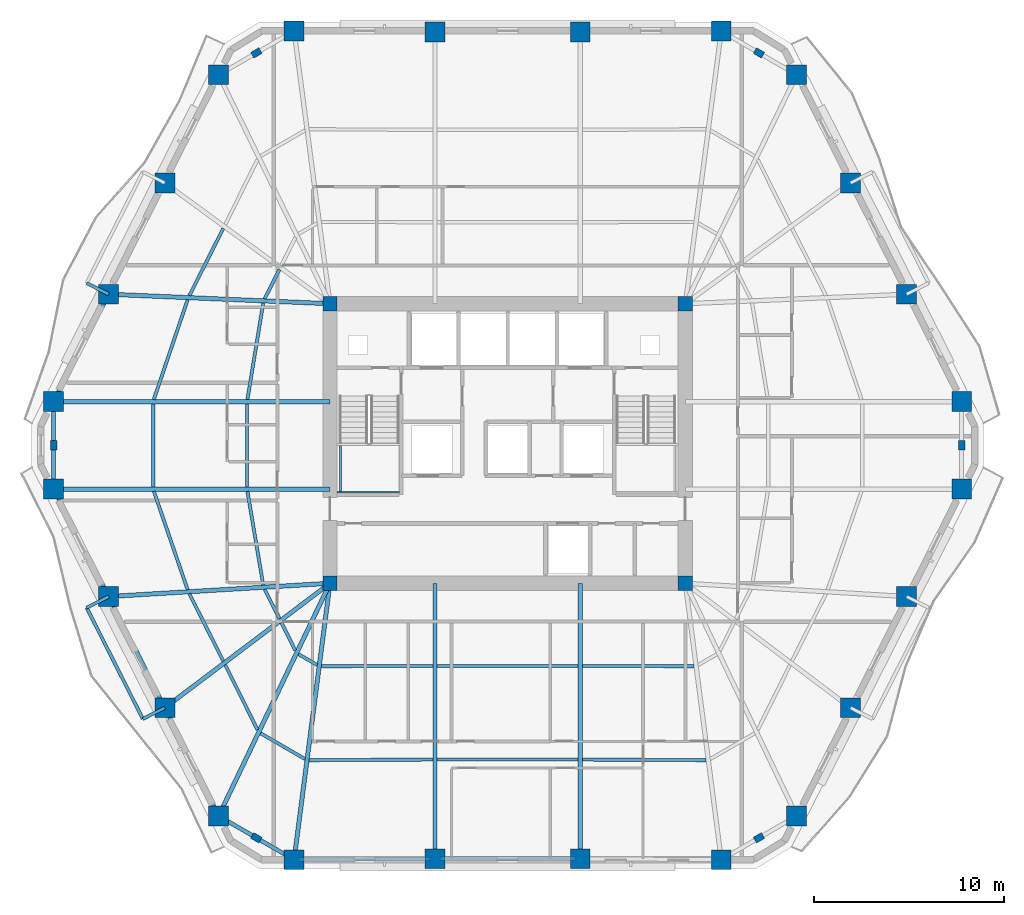
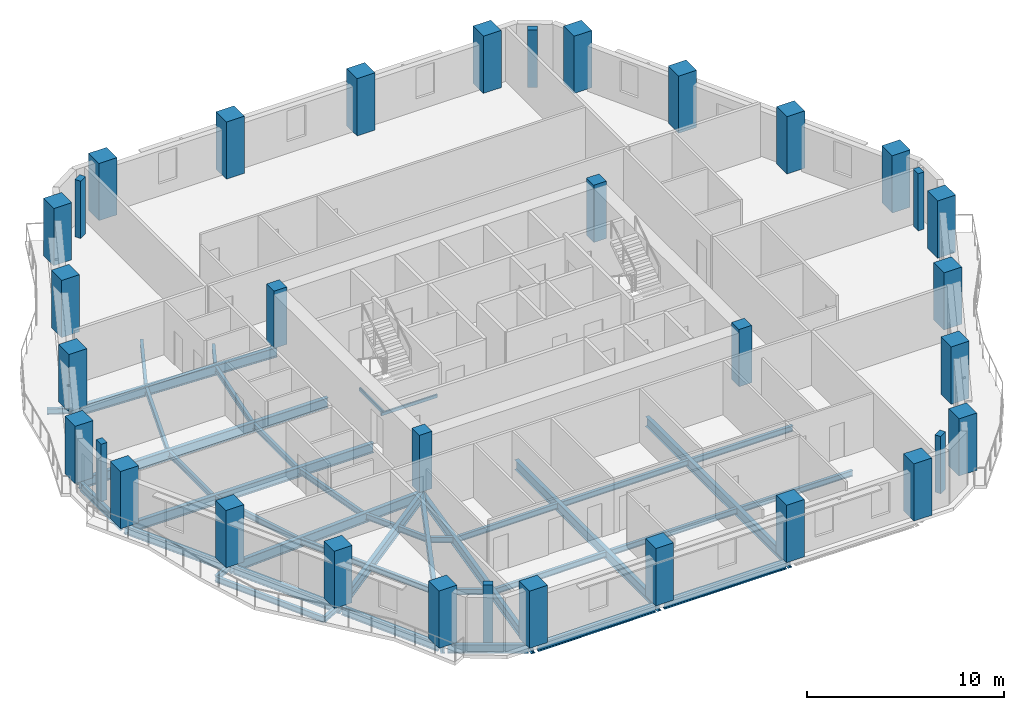
# One storey, part 1 of 12: 43 beams, 34 columns.
"""IFC4 building model written with IfcOpenShell, lengths in metres."""

from ifc_helpers import new_model, si_unit, direction, frame, origin, origin_2d, place, context, subcontext, project, spatial, rectangle, hollow_rectangle, i_section, extrude, material, material_profile, profile_set, type_object, element, save


model = new_model("IFC4")

# Units and contexts
model_context = context("Model", 3, precision=1e-05, world=origin(), true_north=direction((0.0, 1.0)))
body_context = subcontext(model_context, "Body", "Model", "MODEL_VIEW")
ifc_project = project(units=[si_unit("LENGTHUNIT", "METRE"), si_unit("AREAUNIT", "SQUARE_METRE"), si_unit("VOLUMEUNIT", "CUBIC_METRE"), si_unit("PLANEANGLEUNIT", "RADIAN"), si_unit("MASSUNIT", "GRAM", prefix="KILO")], contexts=[model_context])

# Site, building, storey
site_placement = place(None, origin())
site = spatial("IfcSite", under=ifc_project, at=site_placement, CompositionType="ELEMENT")
building_placement = place(site_placement, origin())
building = spatial("IfcBuilding", under=site, at=building_placement, Name="Cinnabar Lancet Tower", CompositionType="ELEMENT")
storey_placement = place(building_placement, frame((0.0, 0.0, 123.25)))
storey = spatial("IfcBuildingStorey", under=building, at=storey_placement, Name="L32", CompositionType="ELEMENT", Elevation=123.25)

# Columns
ifc_material_1 = material(Name="Concrete C70/85", Category="concrete")
ifc_material_profile_1 = material_profile(ifc_material_1, rectangle(XDim=0.75, YDim=0.75, at=origin_2d()), Name="RC-COL 750x750")
ifc_profile_set_1 = profile_set([ifc_material_profile_1], Name="Concrete C70/85")
column_type_1 = type_object("IfcColumnType", Name="STR-COL-CORE-750", PredefinedType="COLUMN", material=ifc_profile_set_1)
for number, where, z_axis, x_axis, name in (
    (1, (23.02490234375, 18.52490234375, 0.0), (0.0, 0.0, 1.0), (1.0, 0.0, 0.0), "L32 Core Corner Column SW"),
    (2, (41.77490234375, 18.52490234375, 0.0), (0.0, 0.0, 1.0), (1.0, 0.0, 0.0), "L32 Core Corner Column SE"),
    (3, (41.77490234375, 33.27490234375, 0.0), (0.0, 0.0, 1.0), (1.0, 0.0, 0.0), "L32 Core Corner Column NE"),
    (4, (23.02490234375, 33.27490234375, 0.0), (0.0, 0.0, 1.0), (1.0, 0.0, 0.0), "L32 Core Corner Column NW"),
):
    element("IfcColumn", number, at=place(storey_placement, frame(where, z_axis=z_axis, x_axis=x_axis)), inside=storey, type_object=column_type_1, Name=name, PredefinedType="COLUMN", context=body_context, shape_type="SweptSolid", body=[
        extrude(rectangle(XDim=0.75, YDim=0.75, at=origin_2d()), origin(), (0.0, 0.0, 1.0), 3.550048828125),
    ])
ifc_material_2 = material(Name="Concrete C60/75", Category="concrete")
ifc_material_profile_2 = material_profile(ifc_material_2, rectangle(XDim=0.5, YDim=0.35009765625, at=origin_2d()), Name="RC-PIL 500x350")
ifc_profile_set_2 = profile_set([ifc_material_profile_2], Name="Concrete C60/75")
column_type_2 = type_object("IfcColumnType", Name="STR-COL-PIL-500", PredefinedType="PILASTER", material=ifc_profile_set_2)
for number, where, z_axis, x_axis, name in (
    (5, (19.14111328125, 5.093017578125, 0.0), (0.0, 0.0, 1.0), (0.865160173452, -0.501495637342, 0.0), "L32 Chamfered Corner Pilaster 1"),
    (6, (45.658935546875, 5.093017578125, 0.0), (0.0, 0.0, 1.0), (0.865160173452, 0.501495637342, 0.0), "L32 Chamfered Corner Pilaster 2"),
    (7, (56.35693359375, 25.800048828125, 0.0), (0.0, 0.0, 1.0), (0.0, 1.0, 0.0), "L32 Chamfered Corner Pilaster 3"),
    (8, (45.658935546875, 46.508056640625, 0.0), (0.0, 0.0, 1.0), (-0.865160173452, 0.501495637342, 0.0), "L32 Chamfered Corner Pilaster 4"),
    (9, (19.14111328125, 46.508056640625, 0.0), (0.0, 0.0, 1.0), (-0.865160173452, -0.501495637342, 0.0), "L32 Chamfered Corner Pilaster 5"),
    (10, (8.443115234375, 25.800048828125, 0.0), (0.0, 0.0, 1.0), (0.0, -1.0, 0.0), "L32 Chamfered Corner Pilaster 6"),
):
    element("IfcColumn", number, at=place(storey_placement, frame(where, z_axis=z_axis, x_axis=x_axis)), inside=storey, type_object=column_type_2, Name=name, PredefinedType="PILASTER", context=body_context, shape_type="SweptSolid", body=[
        extrude(rectangle(XDim=0.5, YDim=0.35009765625, at=origin_2d()), origin(), (0.0, 0.0, 1.0), 3.550048828125),
    ])
ifc_material_3 = material(Name="Concrete C70/85", Category="concrete")
ifc_material_profile_3 = material_profile(ifc_material_3, rectangle(XDim=1.050048828125, YDim=1.050048828125, at=origin_2d()), Name="RC-COL 1050x1050")
ifc_profile_set_3 = profile_set([ifc_material_profile_3], Name="Concrete C70/85")
column_type_3 = type_object("IfcColumnType", Name="STR-COL-TUBE-1050", PredefinedType="COLUMN", material=ifc_profile_set_3)
for number, where, z_axis, x_axis, name in (
    (11, (21.131103515625, 3.93896484375, 0.0), (0.0, 0.0, 1.0), (1.0, 0.0, 0.0), "L32 Perimeter Tube Column 1"),
    (12, (28.568115234375, 3.991943359375, 0.0), (0.0, 0.0, 1.0), (1.0, 0.0, 0.0), "L32 Perimeter Tube Column 2"),
    (13, (36.23193359375, 3.991943359375, 0.0), (0.0, 0.0, 1.0), (1.0, 0.0, 0.0), "L32 Perimeter Tube Column 3"),
    (14, (43.6689453125, 3.93896484375, 0.0), (0.0, 0.0, 1.0), (1.0, 0.0, 0.0), "L32 Perimeter Tube Column 4"),
    (15, (47.64892578125, 6.24609375, 0.0), (0.0, 0.0, 1.0), (1.0, 0.0, 0.0), "L32 Perimeter Tube Column 5"),
    (16, (50.489013671875, 11.955078125, 0.0), (0.0, 0.0, 1.0), (1.0, 0.0, 0.0), "L32 Perimeter Tube Column 6"),
    (17, (53.451904296875, 17.823974609375, 0.0), (0.0, 0.0, 1.0), (1.0, 0.0, 0.0), "L32 Perimeter Tube Column 7"),
    (18, (56.35693359375, 23.490966796875, 0.0), (0.0, 0.0, 1.0), (1.0, 0.0, 0.0), "L32 Perimeter Tube Column 8"),
    (19, (56.35693359375, 28.10888671875, 0.0), (0.0, 0.0, 1.0), (1.0, 0.0, 0.0), "L32 Perimeter Tube Column 9"),
    (20, (53.451904296875, 33.77587890625, 0.0), (0.0, 0.0, 1.0), (1.0, 0.0, 0.0), "L32 Perimeter Tube Column 10"),
    (21, (50.489013671875, 39.64501953125, 0.0), (0.0, 0.0, 1.0), (1.0, 0.0, 0.0), "L32 Perimeter Tube Column 11"),
    (22, (47.64892578125, 45.35400390625, 0.0), (0.0, 0.0, 1.0), (1.0, 0.0, 0.0), "L32 Perimeter Tube Column 12"),
    (23, (43.6689453125, 47.660888671875, 0.0), (0.0, 0.0, 1.0), (1.0, 0.0, 0.0), "L32 Perimeter Tube Column 13"),
    (24, (36.23193359375, 47.60791015625, 0.0), (0.0, 0.0, 1.0), (1.0, 0.0, 0.0), "L32 Perimeter Tube Column 14"),
    (25, (28.568115234375, 47.60791015625, 0.0), (0.0, 0.0, 1.0), (1.0, 0.0, 0.0), "L32 Perimeter Tube Column 15"),
    (26, (21.131103515625, 47.660888671875, 0.0), (0.0, 0.0, 1.0), (1.0, 0.0, 0.0), "L32 Perimeter Tube Column 16"),
    (27, (17.15087890625, 45.35400390625, 0.0), (0.0, 0.0, 1.0), (1.0, 0.0, 0.0), "L32 Perimeter Tube Column 17"),
    (28, (14.31103515625, 39.64501953125, 0.0), (0.0, 0.0, 1.0), (1.0, 0.0, 0.0), "L32 Perimeter Tube Column 18"),
    (29, (11.347900390625, 33.77587890625, 0.0), (0.0, 0.0, 1.0), (1.0, 0.0, 0.0), "L32 Perimeter Tube Column 19"),
    (30, (8.443115234375, 28.10888671875, 0.0), (0.0, 0.0, 1.0), (1.0, 0.0, 0.0), "L32 Perimeter Tube Column 20"),
    (31, (8.443115234375, 23.490966796875, 0.0), (0.0, 0.0, 1.0), (1.0, 0.0, 0.0), "L32 Perimeter Tube Column 21"),
    (32, (11.347900390625, 17.823974609375, 0.0), (0.0, 0.0, 1.0), (1.0, 0.0, 0.0), "L32 Perimeter Tube Column 22"),
    (33, (14.31103515625, 11.955078125, 0.0), (0.0, 0.0, 1.0), (1.0, 0.0, 0.0), "L32 Perimeter Tube Column 23"),
    (34, (17.15087890625, 6.24609375, 0.0), (0.0, 0.0, 1.0), (1.0, 0.0, 0.0), "L32 Perimeter Tube Column 24"),
):
    element("IfcColumn", number, at=place(storey_placement, frame(where, z_axis=z_axis, x_axis=x_axis)), inside=storey, type_object=column_type_3, Name=name, PredefinedType="COLUMN", context=body_context, shape_type="SweptSolid", body=[
        extrude(rectangle(XDim=1.050048828125, YDim=1.050048828125, at=origin_2d()), origin(), (0.0, 0.0, 1.0), 3.550048828125),
    ])

# Beams
ifc_material_4 = material(Name="Structural steel S355", Category="steel")
ifc_material_profile_4 = material_profile(ifc_material_4, i_section(OverallWidth=0.17138671875, OverallDepth=0.35498046875, WebThickness=0.00732421875, FlangeThickness=0.011474609375, FilletRadius=0.01025390625, at=origin_2d()), Name="UKB 356x171x51")
ifc_profile_set_4 = profile_set([ifc_material_profile_4], Name="Structural steel S355")
beam_type_1 = type_object("IfcBeamType", Name="STR-BM-JST-356", PredefinedType="JOIST", material=ifc_profile_set_4)
beam_1_placement = place(storey_placement, frame((13.73193359375, 23.376953125, -0.386962890625), z_axis=(0.324639458548, -0.945837841257, 0.0), x_axis=(0.945837841257, 0.324639458548, 0.0)))
element("IfcBeam", 35, at=beam_1_placement, inside=storey, type_object=beam_type_1, Name="L32 Secondary Floor Joist 1", PredefinedType="JOIST", context=body_context, shape_type="SweptSolid", body=[
    extrude(i_section(OverallWidth=0.17138671875, OverallDepth=0.35498046875, WebThickness=0.00732421875, FlangeThickness=0.011474609375, FilletRadius=0.01025390625, at=origin_2d()), origin(), (0.0, 0.0, 1.0), 5.486083984375),
])
beam_2_placement = place(storey_placement, frame((18.669921875, 23.376953125, -0.386962890625), z_axis=(0.165984412241, -0.986128376477, 0.0), x_axis=(0.986128376477, 0.165984412241, 0.0)))
element("IfcBeam", 36, at=beam_2_placement, inside=storey, type_object=beam_type_1, Name="L32 Secondary Floor Joist 2", PredefinedType="JOIST", context=body_context, shape_type="SweptSolid", body=[
    extrude(i_section(OverallWidth=0.17138671875, OverallDepth=0.35498046875, WebThickness=0.00732421875, FlangeThickness=0.011474609375, FilletRadius=0.01025390625, at=origin_2d()), origin(), (0.0, 0.0, 1.0), 5.0185546875),
])
beam_3_placement = place(storey_placement, frame((15.60791015625, 17.965087890625, -0.386962890625), z_axis=(0.450755070916, -0.892647671841, 0.0), x_axis=(0.892647671841, 0.450755070916, 0.0)))
element("IfcBeam", 37, at=beam_3_placement, inside=storey, type_object=beam_type_1, Name="L32 Secondary Floor Joist 3", PredefinedType="JOIST", context=body_context, shape_type="SweptSolid", body=[
    extrude(i_section(OverallWidth=0.17138671875, OverallDepth=0.35498046875, WebThickness=0.00732421875, FlangeThickness=0.011474609375, FilletRadius=0.01025390625, at=origin_2d()), origin(), (0.0, 0.0, 1.0), 3.966796875),
])
beam_4_placement = place(storey_placement, frame((19.577880859375, 18.2041015625, -0.386962890625), z_axis=(0.450874341268, -0.892587434589, 0.0), x_axis=(0.892587434589, 0.450874341268, 0.0)))
element("IfcBeam", 38, at=beam_4_placement, inside=storey, type_object=beam_type_1, Name="L32 Secondary Floor Joist 4", PredefinedType="JOIST", context=body_context, shape_type="SweptSolid", body=[
    extrude(i_section(OverallWidth=0.17138671875, OverallDepth=0.35498046875, WebThickness=0.00732421875, FlangeThickness=0.011474609375, FilletRadius=0.01025390625, at=origin_2d()), origin(), (0.0, 0.0, 1.0), 1.732177734375),
])
beam_5_placement = place(storey_placement, frame((17.5, 14.216064453125, -0.386962890625), z_axis=(0.445295120803, -0.895383859241, 0.0), x_axis=(0.895383859241, 0.445295120803, 0.0)))
element("IfcBeam", 39, at=beam_5_placement, inside=storey, type_object=beam_type_1, Name="L32 Secondary Floor Joist 5", PredefinedType="JOIST", context=body_context, shape_type="SweptSolid", body=[
    extrude(i_section(OverallWidth=0.17138671875, OverallDepth=0.35498046875, WebThickness=0.00732421875, FlangeThickness=0.011474609375, FilletRadius=0.01025390625, at=origin_2d()), origin(), (0.0, 0.0, 1.0), 3.81982421875),
])
beam_6_placement = place(storey_placement, frame((20.4619140625, 16.449951171875, -0.386962890625), z_axis=(0.445557690111, -0.895253229418, 0.0), x_axis=(0.895253229418, 0.445557690111, 0.0)))
element("IfcBeam", 40, at=beam_6_placement, inside=storey, type_object=beam_type_1, Name="L32 Secondary Floor Joist 6", PredefinedType="JOIST", context=body_context, shape_type="SweptSolid", body=[
    extrude(i_section(OverallWidth=0.17138671875, OverallDepth=0.35498046875, WebThickness=0.00732421875, FlangeThickness=0.011474609375, FilletRadius=0.01025390625, at=origin_2d()), origin(), (0.0, 0.0, 1.0), 1.652099609375),
])
beam_7_placement = place(storey_placement, frame((19.364990234375, 10.60888671875, -0.386962890625), z_axis=(0.865172906898, -0.501473669469, 0.0), x_axis=(0.501473669469, 0.865172906898, 0.0)))
element("IfcBeam", 41, at=beam_7_placement, inside=storey, type_object=beam_type_1, Name="L32 Secondary Floor Joist 7", PredefinedType="JOIST", context=body_context, shape_type="SweptSolid", body=[
    extrude(i_section(OverallWidth=0.17138671875, OverallDepth=0.35498046875, WebThickness=0.00732421875, FlangeThickness=0.011474609375, FilletRadius=0.01025390625, at=origin_2d()), origin(), (0.0, 0.0, 1.0), 2.705810546875),
])
beam_8_placement = place(storey_placement, frame((21.362060546875, 14.783935546875, -0.386962890625), z_axis=(0.865055308165, -0.501676503154, 0.0), x_axis=(0.501676503154, 0.865055308165, 0.0)))
element("IfcBeam", 42, at=beam_8_placement, inside=storey, type_object=beam_type_1, Name="L32 Secondary Floor Joist 8", PredefinedType="JOIST", context=body_context, shape_type="SweptSolid", body=[
    extrude(i_section(OverallWidth=0.17138671875, OverallDepth=0.35498046875, WebThickness=0.00732421875, FlangeThickness=0.011474609375, FilletRadius=0.01025390625, at=origin_2d()), origin(), (0.0, 0.0, 1.0), 1.14208984375),
])
beam_9_placement = place(storey_placement, frame((21.927978515625, 9.19091796875, -0.386962890625), z_axis=(0.999987991898, 0.004900618269, 0.0), x_axis=(-0.004900618269, 0.999987991898, 0.0)))
element("IfcBeam", 43, at=beam_9_placement, inside=storey, type_object=beam_type_1, Name="L32 Secondary Floor Joist 9", PredefinedType="JOIST", context=body_context, shape_type="SweptSolid", body=[
    extrude(i_section(OverallWidth=0.17138671875, OverallDepth=0.35498046875, WebThickness=0.00732421875, FlangeThickness=0.011474609375, FilletRadius=0.01025390625, at=origin_2d()), origin(), (0.0, 0.0, 1.0), 6.526123046875),
])
beam_10_placement = place(storey_placement, frame((22.572021484375, 14.14892578125, -0.386962890625), z_axis=(0.999996247906, 0.002739374605, 0.0), x_axis=(-0.002739374605, 0.999996247906, 0.0)))
element("IfcBeam", 44, at=beam_10_placement, inside=storey, type_object=beam_type_1, Name="L32 Secondary Floor Joist 10", PredefinedType="JOIST", context=body_context, shape_type="SweptSolid", body=[
    extrude(i_section(OverallWidth=0.17138671875, OverallDepth=0.35498046875, WebThickness=0.00732421875, FlangeThickness=0.011474609375, FilletRadius=0.01025390625, at=origin_2d()), origin(), (0.0, 0.0, 1.0), 5.882080078125),
])
for number, where, z_axis, x_axis, name in (
    (45, (28.681884765625, 9.22412109375, -0.386962890625), (1.0, 0.0, 0.0), (0.0, 1.0, 0.0), "L32 Secondary Floor Joist 11"),
    (46, (28.681884765625, 14.1650390625, -0.386962890625), (1.0, 0.0, 0.0), (0.0, 1.0, 0.0), "L32 Secondary Floor Joist 12"),
):
    element("IfcBeam", number, at=place(storey_placement, frame(where, z_axis=z_axis, x_axis=x_axis)), inside=storey, type_object=beam_type_1, Name=name, PredefinedType="JOIST", context=body_context, shape_type="SweptSolid", body=[
        extrude(i_section(OverallWidth=0.17138671875, OverallDepth=0.35498046875, WebThickness=0.00732421875, FlangeThickness=0.011474609375, FilletRadius=0.01025390625, at=origin_2d()), origin(), (0.0, 0.0, 1.0), 7.43603515625),
    ])
beam_11_placement = place(storey_placement, frame((36.345947265625, 9.222900390625, -0.386962890625), z_axis=(0.999987991898, -0.004900618269, 0.0), x_axis=(0.004900618269, 0.999987991898, 0.0)))
element("IfcBeam", 47, at=beam_11_placement, inside=storey, type_object=beam_type_1, Name="L32 Secondary Floor Joist 13", PredefinedType="JOIST", context=body_context, shape_type="SweptSolid", body=[
    extrude(i_section(OverallWidth=0.17138671875, OverallDepth=0.35498046875, WebThickness=0.00732421875, FlangeThickness=0.011474609375, FilletRadius=0.01025390625, at=origin_2d()), origin(), (0.0, 0.0, 1.0), 6.526123046875),
])
beam_12_placement = place(storey_placement, frame((36.345947265625, 14.1650390625, -0.386962890625), z_axis=(0.999996247906, -0.002739374605, 0.0), x_axis=(0.002739374605, 0.999996247906, 0.0)))
element("IfcBeam", 48, at=beam_12_placement, inside=storey, type_object=beam_type_1, Name="L32 Secondary Floor Joist 14", PredefinedType="JOIST", context=body_context, shape_type="SweptSolid", body=[
    extrude(i_section(OverallWidth=0.17138671875, OverallDepth=0.35498046875, WebThickness=0.00732421875, FlangeThickness=0.011474609375, FilletRadius=0.01025390625, at=origin_2d()), origin(), (0.0, 0.0, 1.0), 5.882080078125),
])
beam_13_placement = place(storey_placement, frame((17.39599609375, 37.2490234375, -0.386962890625), z_axis=(-0.450656035687, -0.892697674187, 0.0), x_axis=(0.892697674187, -0.450656035687, 0.0)))
element("IfcBeam", 49, at=beam_13_placement, inside=storey, type_object=beam_type_1, Name="L32 Secondary Floor Joist 43", PredefinedType="JOIST", context=body_context, shape_type="SweptSolid", body=[
    extrude(i_section(OverallWidth=0.17138671875, OverallDepth=0.35498046875, WebThickness=0.00732421875, FlangeThickness=0.011474609375, FilletRadius=0.01025390625, at=origin_2d()), origin(), (0.0, 0.0, 1.0), 3.9677734375),
])
beam_14_placement = place(storey_placement, frame((20.35888671875, 35.0830078125, -0.386962890625), z_axis=(-0.450931068976, -0.892558777354, 0.0), x_axis=(0.892558777354, -0.450931068976, 0.0)))
element("IfcBeam", 50, at=beam_14_placement, inside=storey, type_object=beam_type_1, Name="L32 Secondary Floor Joist 44", PredefinedType="JOIST", context=body_context, shape_type="SweptSolid", body=[
    extrude(i_section(OverallWidth=0.17138671875, OverallDepth=0.35498046875, WebThickness=0.00732421875, FlangeThickness=0.011474609375, FilletRadius=0.01025390625, at=origin_2d()), origin(), (0.0, 0.0, 1.0), 1.73193359375),
])
beam_15_placement = place(storey_placement, frame((15.513916015625, 33.48291015625, -0.386962890625), z_axis=(-0.321023911172, -0.947071089442, 0.0), x_axis=(0.947071089442, -0.321023911172, 0.0)))
element("IfcBeam", 51, at=beam_15_placement, inside=storey, type_object=beam_type_1, Name="L32 Secondary Floor Joist 45", PredefinedType="JOIST", context=body_context, shape_type="SweptSolid", body=[
    extrude(i_section(OverallWidth=0.17138671875, OverallDepth=0.35498046875, WebThickness=0.00732421875, FlangeThickness=0.011474609375, FilletRadius=0.01025390625, at=origin_2d()), origin(), (0.0, 0.0, 1.0), 5.553955078125),
])
beam_16_placement = place(storey_placement, frame((19.5029296875, 33.31201171875, -0.386962890625), z_axis=(-0.161719098977, -0.986836832017, 0.0), x_axis=(0.986836832017, -0.161719098977, 0.0)))
element("IfcBeam", 52, at=beam_16_placement, inside=storey, type_object=beam_type_1, Name="L32 Secondary Floor Joist 46", PredefinedType="JOIST", context=body_context, shape_type="SweptSolid", body=[
    extrude(i_section(OverallWidth=0.17138671875, OverallDepth=0.35498046875, WebThickness=0.00732421875, FlangeThickness=0.011474609375, FilletRadius=0.01025390625, at=origin_2d()), origin(), (0.0, 0.0, 1.0), 5.156982421875),
])
for number, where, z_axis, x_axis, name in (
    (53, (13.693115234375, 27.9951171875, -0.386962890625), (0.0, -1.0, 0.0), (1.0, 0.0, 0.0), "L32 Secondary Floor Joist 47"),
    (54, (18.64990234375, 27.9951171875, -0.386962890625), (0.0, -1.0, 0.0), (1.0, 0.0, 0.0), "L32 Secondary Floor Joist 48"),
):
    element("IfcBeam", number, at=place(storey_placement, frame(where, z_axis=z_axis, x_axis=x_axis)), inside=storey, type_object=beam_type_1, Name=name, PredefinedType="JOIST", context=body_context, shape_type="SweptSolid", body=[
        extrude(i_section(OverallWidth=0.17138671875, OverallDepth=0.35498046875, WebThickness=0.00732421875, FlangeThickness=0.011474609375, FilletRadius=0.01025390625, at=origin_2d()), origin(), (0.0, 0.0, 1.0), 4.39013671875),
    ])
ifc_material_5 = material(Name="Structural steel S355", Category="steel")
ifc_material_profile_5 = material_profile(ifc_material_5, hollow_rectangle(XDim=0.10009765625, YDim=0.199951171875, WallThickness=0.008056640625, InnerFilletRadius=0.00390625, OuterFilletRadius=0.011962890625, at=origin_2d()), Name="RHS 200x100x8")
ifc_profile_set_5 = profile_set([ifc_material_profile_5], Name="Structural steel S355")
beam_type_2 = type_object("IfcBeamType", Name="STR-BM-LND-203", PredefinedType="BEAM", material=ifc_profile_set_5)
beam_17_placement = place(storey_placement, frame((23.39990234375, 23.330078125, 1.47509765625), z_axis=(1.0, 0.0, 0.0), x_axis=(0.0, 1.0, 0.0)))
element("IfcBeam", 55, at=beam_17_placement, inside=storey, type_object=beam_type_2, Name="L32 ST-1-L32 Landing Support Beam S", PredefinedType="BEAM", context=body_context, shape_type="SweptSolid", body=[
    extrude(hollow_rectangle(XDim=0.10009765625, YDim=0.199951171875, WallThickness=0.008056640625, InnerFilletRadius=0.00390625, OuterFilletRadius=0.011962890625, at=origin_2d()), origin(), (0.0, 0.0, 1.0), 3.280029296875),
])
beam_18_placement = place(storey_placement, frame((23.580078125, 23.3798828125, 1.47509765625), z_axis=(0.0, 1.0, 0.0), x_axis=(-1.0, 0.0, 0.0)))
element("IfcBeam", 56, at=beam_18_placement, inside=storey, type_object=beam_type_2, Name="L32 ST-1-L32 Landing Side Trimmer Beam", PredefinedType="BEAM", context=body_context, shape_type="SweptSolid", body=[
    extrude(hollow_rectangle(XDim=0.10009765625, YDim=0.199951171875, WallThickness=0.008056640625, InnerFilletRadius=0.00390625, OuterFilletRadius=0.011962890625, at=origin_2d()), origin(), (0.0, 0.0, 1.0), 2.4150390625),
])
ifc_material_6 = material(Name="Structural steel S355", Category="steel")
ifc_material_profile_6 = material_profile(ifc_material_6, i_section(OverallWidth=0.209228515625, OverallDepth=0.533203125, WebThickness=0.010009765625, FlangeThickness=0.015625, FilletRadius=0.0126953125, at=origin_2d()), Name="UKB 533x210x92")
ifc_profile_set_6 = profile_set([ifc_material_profile_6], Name="Structural steel S355")
beam_type_3 = type_object("IfcBeamType", Name="STR-BM-SPN-533", PredefinedType="SPANDREL", material=ifc_profile_set_6)
beam_19_placement = place(storey_placement, frame((21.381103515625, 3.94091796875, -0.47705078125), z_axis=(0.999974980359, 0.007073800628, 0.0), x_axis=(-0.007073800628, 0.999974980359, 0.0)))
element("IfcBeam", 57, at=beam_19_placement, inside=storey, type_object=beam_type_3, Name="L32 Perimeter Spandrel 1", PredefinedType="SPANDREL", context=body_context, shape_type="SweptSolid", body=[
    extrude(i_section(OverallWidth=0.209228515625, OverallDepth=0.533203125, WebThickness=0.010009765625, FlangeThickness=0.015625, FilletRadius=0.0126953125, at=origin_2d()), origin(), (0.0, 0.0, 1.0), 6.937255859375),
])
beam_20_placement = place(storey_placement, frame((28.818115234375, 3.991943359375, -0.47705078125), z_axis=(1.0, 0.0, 0.0), x_axis=(0.0, 1.0, 0.0)))
element("IfcBeam", 58, at=beam_20_placement, inside=storey, type_object=beam_type_3, Name="L32 Perimeter Spandrel 2", PredefinedType="SPANDREL", context=body_context, shape_type="SweptSolid", body=[
    extrude(i_section(OverallWidth=0.209228515625, OverallDepth=0.533203125, WebThickness=0.010009765625, FlangeThickness=0.015625, FilletRadius=0.0126953125, at=origin_2d()), origin(), (0.0, 0.0, 1.0), 7.163818359375),
])
beam_21_placement = place(storey_placement, frame((11.23388671875, 33.553955078125, -0.47705078125), z_axis=(-0.456126618405, -0.889914888055, 0.0), x_axis=(0.889914888055, -0.456126618405, 0.0)))
element("IfcBeam", 59, at=beam_21_placement, inside=storey, type_object=beam_type_3, Name="L32 Perimeter Spandrel 19", PredefinedType="SPANDREL", context=body_context, shape_type="SweptSolid", body=[
    extrude(i_section(OverallWidth=0.209228515625, OverallDepth=0.533203125, WebThickness=0.010009765625, FlangeThickness=0.015625, FilletRadius=0.0126953125, at=origin_2d()), origin(), (0.0, 0.0, 1.0), 5.868896484375),
])
beam_22_placement = place(storey_placement, frame((8.443115234375, 27.85888671875, -0.47705078125), z_axis=(0.0, -1.0, 0.0), x_axis=(1.0, 0.0, 0.0)))
element("IfcBeam", 60, at=beam_22_placement, inside=storey, type_object=beam_type_3, Name="L32 Perimeter Spandrel 20", PredefinedType="SPANDREL", context=body_context, shape_type="SweptSolid", body=[
    extrude(i_section(OverallWidth=0.209228515625, OverallDepth=0.533203125, WebThickness=0.010009765625, FlangeThickness=0.015625, FilletRadius=0.0126953125, at=origin_2d()), origin(), (0.0, 0.0, 1.0), 4.117919921875),
])
beam_23_placement = place(storey_placement, frame((8.556884765625, 23.26904296875, -0.47705078125), z_axis=(0.456109733574, -0.889923542187, 0.0), x_axis=(0.889923542187, 0.456109733574, 0.0)))
element("IfcBeam", 61, at=beam_23_placement, inside=storey, type_object=beam_type_3, Name="L32 Perimeter Spandrel 21", PredefinedType="SPANDREL", context=body_context, shape_type="SweptSolid", body=[
    extrude(i_section(OverallWidth=0.209228515625, OverallDepth=0.533203125, WebThickness=0.010009765625, FlangeThickness=0.015625, FilletRadius=0.0126953125, at=origin_2d()), origin(), (0.0, 0.0, 1.0), 5.869140625),
])
beam_24_placement = place(storey_placement, frame((11.4609375, 17.60107421875, -0.47705078125), z_axis=(0.450570325924, -0.892740937449, 0.0), x_axis=(0.892740937449, 0.450570325924, 0.0)))
element("IfcBeam", 62, at=beam_24_placement, inside=storey, type_object=beam_type_3, Name="L32 Perimeter Spandrel 22", PredefinedType="SPANDREL", context=body_context, shape_type="SweptSolid", body=[
    extrude(i_section(OverallWidth=0.209228515625, OverallDepth=0.533203125, WebThickness=0.010009765625, FlangeThickness=0.015625, FilletRadius=0.0126953125, at=origin_2d()), origin(), (0.0, 0.0, 1.0), 6.07470703125),
])
beam_25_placement = place(storey_placement, frame((14.422119140625, 11.73095703125, -0.47705078125), z_axis=(0.445501068635, -0.89528140707, 0.0), x_axis=(0.89528140707, 0.445501068635, 0.0)))
element("IfcBeam", 63, at=beam_25_placement, inside=storey, type_object=beam_type_3, Name="L32 Perimeter Spandrel 23", PredefinedType="SPANDREL", context=body_context, shape_type="SweptSolid", body=[
    extrude(i_section(OverallWidth=0.209228515625, OverallDepth=0.533203125, WebThickness=0.010009765625, FlangeThickness=0.015625, FilletRadius=0.0126953125, at=origin_2d()), origin(), (0.0, 0.0, 1.0), 5.87646484375),
])
beam_26_placement = place(storey_placement, frame((17.366943359375, 6.12109375, -0.47705078125), z_axis=(0.865112299906, -0.501578217781, 0.0), x_axis=(0.501578217781, 0.865112299906, 0.0)))
element("IfcBeam", 64, at=beam_26_placement, inside=storey, type_object=beam_type_3, Name="L32 Perimeter Spandrel 24", PredefinedType="SPANDREL", context=body_context, shape_type="SweptSolid", body=[
    extrude(i_section(OverallWidth=0.209228515625, OverallDepth=0.533203125, WebThickness=0.010009765625, FlangeThickness=0.015625, FilletRadius=0.0126953125, at=origin_2d()), origin(), (0.0, 0.0, 1.0), 4.101318359375),
])
ifc_material_7 = material(Name="Structural steel S355", Category="steel")
ifc_material_profile_7 = material_profile(ifc_material_7, i_section(OverallWidth=0.228271484375, OverallDepth=0.607666015625, WebThickness=0.010986328125, FlangeThickness=0.017333984375, FilletRadius=0.0126953125, at=origin_2d()), Name="UKB 610x229x113")
ifc_profile_set_7 = profile_set([ifc_material_profile_7], Name="Structural steel S355")
beam_type_4 = type_object("IfcBeamType", Name="STR-BM-UKB610-113", PredefinedType="BEAM", material=ifc_profile_set_7)
beam_27_placement = place(storey_placement, frame((14.31103515625, 11.955078125, -0.513916015625), z_axis=(0.798483350078, 0.602016893158, 0.0), x_axis=(-0.602016893158, 0.798483350078, 0.0)))
element("IfcBeam", 65, at=beam_27_placement, inside=storey, type_object=beam_type_4, Name="L32 Corner Collector Girder 1", PredefinedType="BEAM", context=body_context, shape_type="SweptSolid", body=[
    extrude(i_section(OverallWidth=0.228271484375, OverallDepth=0.607666015625, WebThickness=0.010986328125, FlangeThickness=0.017333984375, FilletRadius=0.0126953125, at=origin_2d()), origin(), (0.0, 0.0, 1.0), 10.9130859375),
])
beam_28_placement = place(storey_placement, frame((21.131103515625, 3.93896484375, -0.513916015625), z_axis=(0.128756570002, 0.991676230269, 0.0), x_axis=(-0.991676230269, 0.128756570002, 0.0)))
element("IfcBeam", 66, at=beam_28_placement, inside=storey, type_object=beam_type_4, Name="L32 Primary Floor Girder 1", PredefinedType="BEAM", context=body_context, shape_type="SweptSolid", body=[
    extrude(i_section(OverallWidth=0.228271484375, OverallDepth=0.607666015625, WebThickness=0.010986328125, FlangeThickness=0.017333984375, FilletRadius=0.0126953125, at=origin_2d()), origin(), (0.0, 0.0, 1.0), 14.708251953125),
])
for number, where, z_axis, x_axis, name in (
    (67, (28.568115234375, 3.991943359375, -0.513916015625), (0.0, 1.0, 0.0), (-1.0, 0.0, 0.0), "L32 Primary Floor Girder 2"),
    (68, (36.23193359375, 3.991943359375, -0.513916015625), (0.0, 1.0, 0.0), (-1.0, 0.0, 0.0), "L32 Primary Floor Girder 3"),
):
    element("IfcBeam", number, at=place(storey_placement, frame(where, z_axis=z_axis, x_axis=x_axis)), inside=storey, type_object=beam_type_4, Name=name, PredefinedType="BEAM", context=body_context, shape_type="SweptSolid", body=[
        extrude(i_section(OverallWidth=0.228271484375, OverallDepth=0.607666015625, WebThickness=0.010986328125, FlangeThickness=0.017333984375, FilletRadius=0.0126953125, at=origin_2d()), origin(), (0.0, 0.0, 1.0), 14.532958984375),
    ])
beam_29_placement = place(storey_placement, frame((11.347900390625, 33.77587890625, -0.513916015625), z_axis=(0.999080941658, -0.042863411158, 0.0), x_axis=(0.042863411158, 0.999080941658, 0.0)))
element("IfcBeam", 69, at=beam_29_placement, inside=storey, type_object=beam_type_4, Name="L32 Primary Floor Girder 19", PredefinedType="BEAM", context=body_context, shape_type="SweptSolid", body=[
    extrude(i_section(OverallWidth=0.228271484375, OverallDepth=0.607666015625, WebThickness=0.010986328125, FlangeThickness=0.017333984375, FilletRadius=0.0126953125, at=origin_2d()), origin(), (0.0, 0.0, 1.0), 11.687744140625),
])
for number, where, z_axis, x_axis, name in (
    (70, (8.443115234375, 28.10888671875, -0.513916015625), (1.0, 0.0, 0.0), (0.0, 1.0, 0.0), "L32 Primary Floor Girder 20"),
    (71, (8.443115234375, 23.490966796875, -0.513916015625), (1.0, 0.0, 0.0), (0.0, 1.0, 0.0), "L32 Primary Floor Girder 21"),
):
    element("IfcBeam", number, at=place(storey_placement, frame(where, z_axis=z_axis, x_axis=x_axis)), inside=storey, type_object=beam_type_4, Name=name, PredefinedType="BEAM", context=body_context, shape_type="SweptSolid", body=[
        extrude(i_section(OverallWidth=0.228271484375, OverallDepth=0.607666015625, WebThickness=0.010986328125, FlangeThickness=0.017333984375, FilletRadius=0.0126953125, at=origin_2d()), origin(), (0.0, 0.0, 1.0), 14.581787109375),
    ])
beam_30_placement = place(storey_placement, frame((11.347900390625, 17.823974609375, -0.513916015625), z_axis=(0.998203272991, 0.059918492897, 0.0), x_axis=(-0.059918492897, 0.998203272991, 0.0)))
element("IfcBeam", 72, at=beam_30_placement, inside=storey, type_object=beam_type_4, Name="L32 Primary Floor Girder 22", PredefinedType="BEAM", context=body_context, shape_type="SweptSolid", body=[
    extrude(i_section(OverallWidth=0.228271484375, OverallDepth=0.607666015625, WebThickness=0.010986328125, FlangeThickness=0.017333984375, FilletRadius=0.0126953125, at=origin_2d()), origin(), (0.0, 0.0, 1.0), 11.697998046875),
])
beam_31_placement = place(storey_placement, frame((17.15087890625, 6.24609375, -0.513916015625), z_axis=(0.431548156881, 0.902089900339, 0.0), x_axis=(-0.902089900339, 0.431548156881, 0.0)))
element("IfcBeam", 73, at=beam_31_placement, inside=storey, type_object=beam_type_4, Name="L32 Primary Floor Girder 24", PredefinedType="BEAM", context=body_context, shape_type="SweptSolid", body=[
    extrude(i_section(OverallWidth=0.228271484375, OverallDepth=0.607666015625, WebThickness=0.010986328125, FlangeThickness=0.017333984375, FilletRadius=0.0126953125, at=origin_2d()), origin(), (0.0, 0.0, 1.0), 13.611572265625),
])
ifc_material_8 = material(Name="Structural steel S355", Category="steel")
ifc_material_profile_8 = material_profile(ifc_material_8, i_section(OverallWidth=0.17138671875, OverallDepth=0.35498046875, WebThickness=0.00732421875, FlangeThickness=0.011474609375, FilletRadius=0.01025390625, at=origin_2d()), Name="UKB 356x171x51")
ifc_profile_set_8 = profile_set([ifc_material_profile_8], Name="Structural steel S355")
beam_type_5 = type_object("IfcBeamType", Name="STR-BM-WAV-OUT", PredefinedType="BEAM", material=ifc_profile_set_8)
for number, where, z_axis, x_axis, name in (
    (74, (11.347900390625, 33.77587890625, -0.39697265625), (-0.892200264127, 0.451639998995, 0.0), (-0.451639998995, -0.892200264127, 0.0), "L32 Face 5 Balcony Outlooker B"),
    (75, (11.347900390625, 17.823974609375, -0.39697265625), (-0.89227592947, -0.451490493464, 0.0), (0.451490493464, -0.89227592947, 0.0), "L32 Face 6 Balcony Outlooker A"),
):
    element("IfcBeam", number, at=place(storey_placement, frame(where, z_axis=z_axis, x_axis=x_axis)), inside=storey, type_object=beam_type_5, Name=name, PredefinedType="BEAM", context=body_context, shape_type="SweptSolid", body=[
        extrude(i_section(OverallWidth=0.17138671875, OverallDepth=0.35498046875, WebThickness=0.00732421875, FlangeThickness=0.011474609375, FilletRadius=0.01025390625, at=origin_2d()), origin(), (0.0, 0.0, 1.0), 1.300048828125),
    ])
beam_32_placement = place(storey_placement, frame((14.31103515625, 11.955078125, -0.39697265625), z_axis=(-0.892238560088, -0.451564338597, 0.0), x_axis=(0.451564338597, -0.892238560088, 0.0)))
element("IfcBeam", 76, at=beam_32_placement, inside=storey, type_object=beam_type_5, Name="L32 Face 6 Balcony Outlooker B", PredefinedType="BEAM", context=body_context, shape_type="SweptSolid", body=[
    extrude(i_section(OverallWidth=0.17138671875, OverallDepth=0.35498046875, WebThickness=0.00732421875, FlangeThickness=0.011474609375, FilletRadius=0.01025390625, at=origin_2d()), origin(), (0.0, 0.0, 1.0), 1.30029296875),
])
ifc_material_9 = material(Name="Structural steel S355", Category="steel")
ifc_material_profile_9 = material_profile(ifc_material_9, i_section(OverallWidth=0.17138671875, OverallDepth=0.35498046875, WebThickness=0.00732421875, FlangeThickness=0.011474609375, FilletRadius=0.01025390625, at=origin_2d()), Name="UKB 356x171x51")
ifc_profile_set_9 = profile_set([ifc_material_profile_9], Name="Structural steel S355")
beam_type_6 = type_object("IfcBeamType", Name="STR-BM-WAV-TRIM", PredefinedType="SPANDREL", material=ifc_profile_set_9)
beam_33_placement = place(storey_placement, frame((10.18798828125, 17.237060546875, -0.39697265625), z_axis=(0.450656296771, -0.892697542385, 0.0), x_axis=(0.892697542385, 0.450656296771, 0.0)))
element("IfcBeam", 77, at=beam_33_placement, inside=storey, type_object=beam_type_6, Name="L32 Face 6 Balcony Edge Trimmer", PredefinedType="SPANDREL", context=body_context, shape_type="SweptSolid", body=[
    extrude(i_section(OverallWidth=0.17138671875, OverallDepth=0.35498046875, WebThickness=0.00732421875, FlangeThickness=0.011474609375, FilletRadius=0.01025390625, at=origin_2d()), origin(), (0.0, 0.0, 1.0), 6.57470703125),
])

save(model, "model.ifc")
